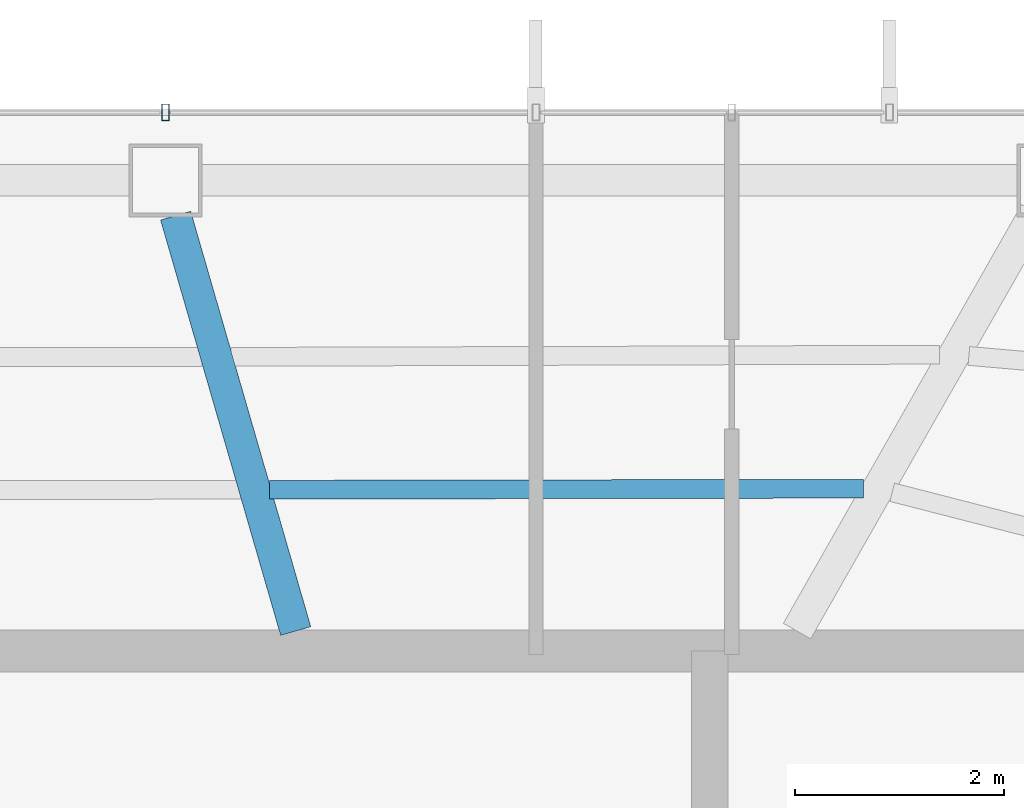
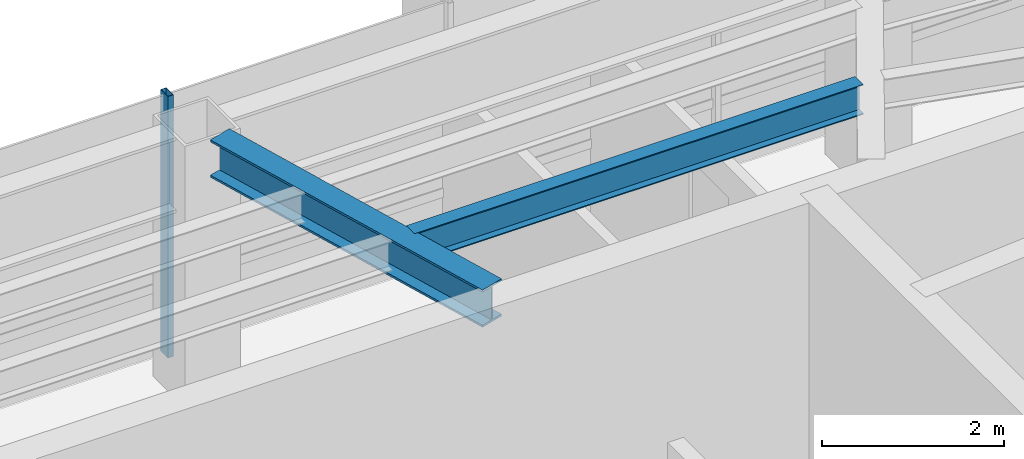
# One storey, part 13 of 28: 2 beams, 1 member, 1 element without a shape of its own.
"""IFC4 building model written with IfcOpenShell, lengths in metres."""

import ifcopenshell
import ifcopenshell.guid

model = None  # the IFC model being written
_history = None  # IfcOwnerHistory: only IFC2X3 demands one
_inside = {}  # id of a spatial element -> (the spatial element, [elements in it])
_under = {}  # id of a project, library or spatial element -> (it, [spatial elements below it])
_declared = {}  # id of a project -> (the project, [libraries it declares])
_typed = {}  # id of a type object -> (the type object, [elements of that type])
_made_of = {}  # id of a material, layer set ... -> (it, [elements and type objects made of it])


def new_model(schema):
    """Start an empty IFC model of exactly this schema.

    Asked for "IFC4X3", IfcOpenShell would pick the latest addendum, in which some entities
    have other attributes; the version numbers below select the first issue.
    IFC2X3 requires an IfcOwnerHistory on every rooted entity: one is made here for all.
    """
    global model, _history
    if schema == "IFC4X3":
        model = ifcopenshell.file(schema_version=(4, 3, 0, 0))
    else:
        model = ifcopenshell.file(schema=schema)
    _inside.clear()
    _under.clear()
    _declared.clear()
    _typed.clear()
    _made_of.clear()
    _history = None
    if model.schema == "IFC2X3":
        org = make("IfcOrganization", Name="unknown")
        user = make(
            "IfcPersonAndOrganization",
            ThePerson=make("IfcPerson", FamilyName="unknown"),
            TheOrganization=org,
        )
        app = make(
            "IfcApplication",
            ApplicationDeveloper=org,
            Version="unknown",
            ApplicationFullName="unknown",
            ApplicationIdentifier="unknown",
        )
        _history = make(
            "IfcOwnerHistory",
            OwningUser=user,
            OwningApplication=app,
            ChangeAction="ADDED",
            CreationDate=0,
        )
    return model


def make(cls, **values):
    """One entity of the class cls with the attributes given. An attribute that is None is left unset."""
    return model.create_entity(
        cls, **{name: value for name, value in values.items() if value is not None}
    )


def rooted(cls, **values):
    """An entity with a GlobalId (a new one), such as an element, a storey or a relation."""
    return make(cls, GlobalId=ifcopenshell.guid.new(), OwnerHistory=_history, **values)


def si_unit(unit_type, name, prefix=None):
    """IfcSIUnit, for example si_unit("LENGTHUNIT", "METRE", prefix="MILLI")."""
    return make("IfcSIUnit", UnitType=unit_type, Prefix=prefix, Name=name)


def assignment(units):
    """IfcUnitAssignment: the units of a project."""
    return None if units is None else make("IfcUnitAssignment", Units=units)


def point(xyz):
    """IfcCartesianPoint."""
    return None if xyz is None else make("IfcCartesianPoint", Coordinates=xyz)


def direction(xyz):
    """IfcDirection."""
    return None if xyz is None else make("IfcDirection", DirectionRatios=xyz)


def frame(location, z_axis=None, x_axis=None):
    """IfcAxis2Placement3D, a coordinate frame: its origin and axes. An axis left out is left unset."""
    return make(
        "IfcAxis2Placement3D",
        Location=point(location),
        Axis=direction(z_axis),
        RefDirection=direction(x_axis),
    )


def frame_2d(location, x_axis=None):
    """IfcAxis2Placement2D, a coordinate frame in the plane: its origin and x axis."""
    return make(
        "IfcAxis2Placement2D", Location=point(location), RefDirection=direction(x_axis)
    )


def origin():
    """The frame at (0, 0, 0) with its axes left unset."""
    return frame((0.0, 0.0, 0.0))


def origin_2d():
    """The frame at (0, 0) in the plane with its x axis left unset."""
    return frame_2d((0.0, 0.0))


def place(relative_to, where):
    """IfcLocalPlacement: puts the frame where relative to a parent placement (None: the world)."""
    return make(
        "IfcLocalPlacement", PlacementRelTo=relative_to, RelativePlacement=where
    )


def context(
    kind, dimensions, precision=None, world=None, true_north=None, identifier=None
):
    """IfcGeometricRepresentationContext, for example the 3D "Model" context."""
    return make(
        "IfcGeometricRepresentationContext",
        ContextIdentifier=identifier,
        ContextType=kind,
        CoordinateSpaceDimension=dimensions,
        Precision=precision,
        WorldCoordinateSystem=world,
        TrueNorth=true_north,
    )


def subcontext(parent, identifier, kind, view, scale=None):
    """IfcGeometricRepresentationSubContext, for example "Body" below "Model"."""
    return make(
        "IfcGeometricRepresentationSubContext",
        ContextIdentifier=identifier,
        ContextType=kind,
        ParentContext=parent,
        TargetScale=scale,
        TargetView=view,
    )


def project(units=None, contexts=None):
    """IfcProject with its units and contexts."""
    return rooted(
        "IfcProject",
        Name="project",
        RepresentationContexts=contexts,
        UnitsInContext=assignment(units),
    )


def spatial(cls, under=None, at=None, **own):
    """A site, building, storey or space (cls), placed at a placement, below another one or the project."""
    s = rooted(cls, ObjectPlacement=at, **own)
    if under is not None:
        _under.setdefault(under.id(), (under, []))[1].append(s)
    return s


def profile(cls, at=None, kind="AREA", **sizes):
    """A parametric profile (cls). Its sizes go by their IFC names, for example OverallWidth=200.0."""
    return make(cls, ProfileType=kind, Position=at, **sizes)


def hollow_rectangle(**sizes):
    """IfcRectangleHollowProfileDef."""
    return profile("IfcRectangleHollowProfileDef", **sizes)


def i_section(**sizes):
    """IfcIShapeProfileDef."""
    return profile("IfcIShapeProfileDef", **sizes)


def extrude(swept, where, along, depth):
    """IfcExtrudedAreaSolid: the profile swept, set in the frame where, extruded along a direction by depth."""
    return make(
        "IfcExtrudedAreaSolid",
        SweptArea=swept,
        Position=where,
        ExtrudedDirection=direction(along),
        Depth=depth,
    )


def shape(context_of_items, identifier, shape_type, items):
    """IfcShapeRepresentation: the items that make up one representation, for example the "Body"."""
    return make(
        "IfcShapeRepresentation",
        ContextOfItems=context_of_items,
        RepresentationIdentifier=identifier,
        RepresentationType=shape_type,
        Items=items,
    )


def material(Name=None, Category=None):
    """IfcMaterial."""
    return make("IfcMaterial", Name=Name, Category=Category)


def layer(
    of_material, thickness, ventilated=None, Name=None, Category=None, Priority=None
):
    """IfcMaterialLayer: one layer of a wall or slab, of a material (None: an air gap)."""
    return make(
        "IfcMaterialLayer",
        Material=of_material,
        LayerThickness=thickness,
        IsVentilated=ventilated,
        Name=Name,
        Category=Category,
        Priority=Priority,
    )


def layer_set(layers, Name=None):
    """IfcMaterialLayerSet."""
    return make("IfcMaterialLayerSet", MaterialLayers=layers, LayerSetName=Name)


def material_profile(
    of_material, cross_section, Name=None, Category=None, Priority=None
):
    """IfcMaterialProfile: a cross section and its material."""
    return make(
        "IfcMaterialProfile",
        Name=Name,
        Material=of_material,
        Profile=cross_section,
        Priority=Priority,
        Category=Category,
    )


def profile_set(profiles, Name=None, composite=None):
    """IfcMaterialProfileSet."""
    return make(
        "IfcMaterialProfileSet",
        Name=Name,
        MaterialProfiles=profiles,
        CompositeProfile=composite,
    )


def made_of(thing, what):
    """Note that an element or type object is made of a material, layer set ...; save() writes the relation."""
    if what is not None:
        _made_of.setdefault(what.id(), (what, []))[1].append(thing)
    return thing


def type_object(cls, material=None, **own):
    """A type object (cls), such as IfcWallType, which elements share."""
    return made_of(rooted(cls, **own), material)


def element(
    cls,
    number,
    at=None,
    inside=None,
    cuts=None,
    type_object=None,
    material=None,
    context=None,
    identifier="Body",
    shape_type=None,
    held_by="IfcProductDefinitionShape",
    body=None,
    shapes=None,
    **own,
):
    """One element of the class cls, such as IfcWall. Its Tag is "e" and its number.

    at: its placement. inside: the storey or other place that contains it. cuts: it is an
    opening in that element (IfcRelVoidsElement). A single representation is given by context,
    identifier, shape_type and body (its items); several are given by shapes. held_by: the class
    of the entity that holds the representations. save() writes the other relations.
    """
    e = rooted(cls, Tag="e%d" % number, ObjectPlacement=at, **own)
    if body is not None:
        shapes = [shape(context, identifier, shape_type, body)]
    if shapes is not None:
        e.Representation = make(held_by, Representations=shapes)
    if inside is not None:
        _inside.setdefault(inside.id(), (inside, []))[1].append(e)
    if cuts is not None:
        rooted(
            "IfcRelVoidsElement", RelatingBuildingElement=cuts, RelatedOpeningElement=e
        )
    if type_object is not None:
        _typed.setdefault(type_object.id(), (type_object, []))[1].append(e)
    return made_of(e, material)


def aggregate(whole, parts):
    """IfcRelAggregates: a whole, such as a stair, and the parts it consists of."""
    return rooted("IfcRelAggregates", RelatingObject=whole, RelatedObjects=parts)


def save(model, path):
    """Write the relations noted so far, then the file.

    IfcRelAggregates (storeys below a building ...), IfcRelContainedInSpatialStructure (elements
    in a storey), IfcRelDefinesByType, IfcRelAssociatesMaterial and IfcRelDeclares: one each for
    every whole, place, type object, material and project.
    """
    for whole, parts in _under.values():
        aggregate(whole, parts)
    for where, things in _inside.values():
        rooted(
            "IfcRelContainedInSpatialStructure",
            RelatedElements=things,
            RelatingStructure=where,
        )
    for kind, things in _typed.values():
        rooted("IfcRelDefinesByType", RelatedObjects=things, RelatingType=kind)
    for what, things in _made_of.values():
        rooted("IfcRelAssociatesMaterial", RelatedObjects=things, RelatingMaterial=what)
    for by, libraries in _declared.values():
        rooted("IfcRelDeclares", RelatingContext=by, RelatedDefinitions=libraries)
    model.write(path)


model = new_model("IFC4")

# Units and contexts
model_context = context("Model", 3, precision=1e-05, world=origin(), true_north=direction((0.0, 1.0)))
body_context = subcontext(model_context, "Body", "Model", "MODEL_VIEW")
ifc_project = project(units=[si_unit("LENGTHUNIT", "METRE"), si_unit("AREAUNIT", "SQUARE_METRE"), si_unit("VOLUMEUNIT", "CUBIC_METRE"), si_unit("PLANEANGLEUNIT", "RADIAN"), si_unit("MASSUNIT", "GRAM", prefix="KILO")], contexts=[model_context])

# Site, building, storey
site_placement = place(None, origin())
site = spatial("IfcSite", under=ifc_project, at=site_placement, CompositionType="ELEMENT")
building_placement = place(site_placement, origin())
building = spatial("IfcBuilding", under=site, at=building_placement, Name="Zarrinselat Tower", CompositionType="ELEMENT")
storey_placement = place(building_placement, frame((0.0, 0.0, 187.0)))
storey = spatial("IfcBuildingStorey", under=building, at=storey_placement, Name="L46", CompositionType="ELEMENT", Elevation=187.0)

# Beams
ifc_material_1 = material(Name="Steel S355J2", Category="steel")
ifc_material_profile_1 = material_profile(ifc_material_1, i_section(OverallWidth=0.300048828125, OverallDepth=0.5, WebThickness=0.014404296875, FlangeThickness=0.028076171875, at=origin_2d()), Name="HEB 500")
ifc_profile_set_1 = profile_set([ifc_material_profile_1], Name="Steel S355J2")
beam_type_1 = type_object("IfcBeamType", Name="BM-HEB500", PredefinedType="BEAM", material=ifc_profile_set_1)
beam_1_placement = place(storey_placement, frame((39.85009765625, 47.617431640625, 3.25), z_axis=(0.277725895804, -0.960660359753, 0.0), x_axis=(0.960660359753, 0.277725895804, 0.0)))
element("IfcBeam", 1, at=beam_1_placement, inside=storey, type_object=beam_type_1, Name="L46 Radial Primary Girder RG03", PredefinedType="BEAM", context=body_context, shape_type="SweptSolid", body=[
    extrude(i_section(OverallWidth=0.300048828125, OverallDepth=0.5, WebThickness=0.014404296875, FlangeThickness=0.028076171875, at=origin_2d()), origin(), (0.0, 0.0, 1.0), 4.140380859375),
])
ifc_material_2 = material(Name="Steel S355J2", Category="steel")
ifc_material_profile_2 = material_profile(ifc_material_2, i_section(OverallWidth=0.179931640625, OverallDepth=0.39990234375, WebThickness=0.008544921875, FlangeThickness=0.013427734375, at=origin_2d()), Name="IPE 400")
ifc_profile_set_2 = profile_set([ifc_material_profile_2], Name="Steel S355J2")
beam_type_2 = type_object("IfcBeamType", Name="BM-IPE400", PredefinedType="JOIST", material=ifc_profile_set_2)
beam_2_placement = place(storey_placement, frame((40.7490234375, 44.99267578125, 3.300048828125), z_axis=(0.999998374389, 0.001803113885, 0.0), x_axis=(-0.001803113885, 0.999998374389, 0.0)))
element("IfcBeam", 2, at=beam_2_placement, inside=storey, type_object=beam_type_2, Name="L46 Composite Floor Joist 7-2", PredefinedType="JOIST", context=body_context, shape_type="SweptSolid", body=[
    extrude(i_section(OverallWidth=0.179931640625, OverallDepth=0.39990234375, WebThickness=0.008544921875, FlangeThickness=0.013427734375, at=origin_2d()), origin(), (0.0, 0.0, 1.0), 5.686767578125),
])

# Curtain wall, member
ifc_material_3 = material(Name="Extruded Aluminium Alloy EN AW-6063 T6", Category="aluminium")
ifc_layer = layer(ifc_material_3, 0.175048828125)
ifc_layer_set = layer_set([ifc_layer], Name="Extruded Aluminium Alloy EN AW-6063 T6")
curtain_wall_type = type_object("IfcCurtainWallType", Name="CWS-HTL", PredefinedType="NOTDEFINED", material=ifc_layer_set)
curtain_wall_placement = place(storey_placement, origin())
curtain_wall = element("IfcCurtainWall", 3, at=curtain_wall_placement, inside=storey, type_object=curtain_wall_type, Name="L46 Unitised Curtain Wall CW-L46-E01", PredefinedType="NOTDEFINED")
ifc_material_4 = material(Name="Extruded Aluminium Alloy EN AW-6063 T6", Category="aluminium")
ifc_material_profile_3 = material_profile(ifc_material_4, hollow_rectangle(XDim=0.070068359375, YDim=0.159912109375, WallThickness=0.00390625, at=origin_2d()), Name="RHS 160x70x4")
ifc_profile_set_3 = profile_set([ifc_material_profile_3], Name="Extruded Aluminium Alloy EN AW-6063 T6")
member_type = type_object("IfcMemberType", Name="MEM-CW-MUL2", PredefinedType="MULLION", material=ifc_profile_set_3)
member_placement = place(storey_placement, frame((39.752197265625, 48.605712890625, 0.0), z_axis=(0.0, 0.0, 1.0), x_axis=(-1.0, 0.0, 0.0)))
member = element("IfcMember", 4, at=member_placement, type_object=member_type, Name="CW-L46-E01 Mullion 6", PredefinedType="MULLION", context=body_context, shape_type="SweptSolid", body=[
    extrude(hollow_rectangle(XDim=0.070068359375, YDim=0.159912109375, WallThickness=0.00390625, at=origin_2d()), origin(), (0.0, 0.0, 1.0), 3.5),
])
aggregate(curtain_wall, [member])

save(model, "model.ifc")
